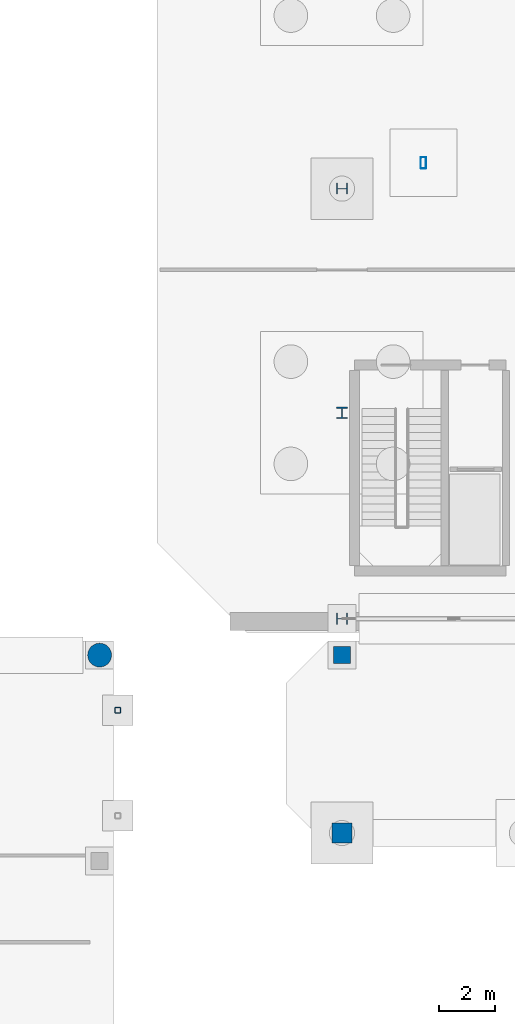
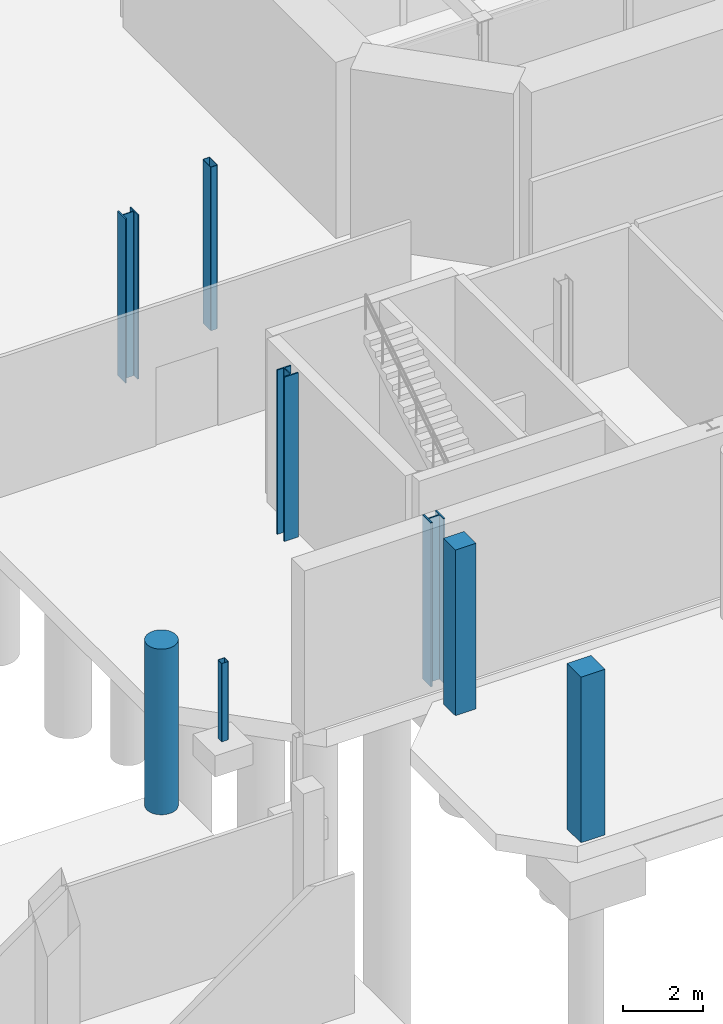
# One storey, part 7 of 33: 8 columns.
"""IFC4 building model written with IfcOpenShell, lengths in metres."""

import ifcopenshell
import ifcopenshell.guid

model = None  # the IFC model being written
_history = None  # IfcOwnerHistory: only IFC2X3 demands one
_inside = {}  # id of a spatial element -> (the spatial element, [elements in it])
_under = {}  # id of a project, library or spatial element -> (it, [spatial elements below it])
_declared = {}  # id of a project -> (the project, [libraries it declares])
_typed = {}  # id of a type object -> (the type object, [elements of that type])
_made_of = {}  # id of a material, layer set ... -> (it, [elements and type objects made of it])


def new_model(schema):
    """Start an empty IFC model of exactly this schema.

    Asked for "IFC4X3", IfcOpenShell would pick the latest addendum, in which some entities
    have other attributes; the version numbers below select the first issue.
    IFC2X3 requires an IfcOwnerHistory on every rooted entity: one is made here for all.
    """
    global model, _history
    if schema == "IFC4X3":
        model = ifcopenshell.file(schema_version=(4, 3, 0, 0))
    else:
        model = ifcopenshell.file(schema=schema)
    _inside.clear()
    _under.clear()
    _declared.clear()
    _typed.clear()
    _made_of.clear()
    _history = None
    if model.schema == "IFC2X3":
        org = make("IfcOrganization", Name="unknown")
        user = make(
            "IfcPersonAndOrganization",
            ThePerson=make("IfcPerson", FamilyName="unknown"),
            TheOrganization=org,
        )
        app = make(
            "IfcApplication",
            ApplicationDeveloper=org,
            Version="unknown",
            ApplicationFullName="unknown",
            ApplicationIdentifier="unknown",
        )
        _history = make(
            "IfcOwnerHistory",
            OwningUser=user,
            OwningApplication=app,
            ChangeAction="ADDED",
            CreationDate=0,
        )
    return model


def make(cls, **values):
    """One entity of the class cls with the attributes given. An attribute that is None is left unset."""
    return model.create_entity(
        cls, **{name: value for name, value in values.items() if value is not None}
    )


def rooted(cls, **values):
    """An entity with a GlobalId (a new one), such as an element, a storey or a relation."""
    return make(cls, GlobalId=ifcopenshell.guid.new(), OwnerHistory=_history, **values)


def si_unit(unit_type, name, prefix=None):
    """IfcSIUnit, for example si_unit("LENGTHUNIT", "METRE", prefix="MILLI")."""
    return make("IfcSIUnit", UnitType=unit_type, Prefix=prefix, Name=name)


def assignment(units):
    """IfcUnitAssignment: the units of a project."""
    return None if units is None else make("IfcUnitAssignment", Units=units)


def point(xyz):
    """IfcCartesianPoint."""
    return None if xyz is None else make("IfcCartesianPoint", Coordinates=xyz)


def direction(xyz):
    """IfcDirection."""
    return None if xyz is None else make("IfcDirection", DirectionRatios=xyz)


def frame(location, z_axis=None, x_axis=None):
    """IfcAxis2Placement3D, a coordinate frame: its origin and axes. An axis left out is left unset."""
    return make(
        "IfcAxis2Placement3D",
        Location=point(location),
        Axis=direction(z_axis),
        RefDirection=direction(x_axis),
    )


def frame_2d(location, x_axis=None):
    """IfcAxis2Placement2D, a coordinate frame in the plane: its origin and x axis."""
    return make(
        "IfcAxis2Placement2D", Location=point(location), RefDirection=direction(x_axis)
    )


def origin():
    """The frame at (0, 0, 0) with its axes left unset."""
    return frame((0.0, 0.0, 0.0))


def origin_2d():
    """The frame at (0, 0) in the plane with its x axis left unset."""
    return frame_2d((0.0, 0.0))


def place(relative_to, where):
    """IfcLocalPlacement: puts the frame where relative to a parent placement (None: the world)."""
    return make(
        "IfcLocalPlacement", PlacementRelTo=relative_to, RelativePlacement=where
    )


def context(
    kind, dimensions, precision=None, world=None, true_north=None, identifier=None
):
    """IfcGeometricRepresentationContext, for example the 3D "Model" context."""
    return make(
        "IfcGeometricRepresentationContext",
        ContextIdentifier=identifier,
        ContextType=kind,
        CoordinateSpaceDimension=dimensions,
        Precision=precision,
        WorldCoordinateSystem=world,
        TrueNorth=true_north,
    )


def subcontext(parent, identifier, kind, view, scale=None):
    """IfcGeometricRepresentationSubContext, for example "Body" below "Model"."""
    return make(
        "IfcGeometricRepresentationSubContext",
        ContextIdentifier=identifier,
        ContextType=kind,
        ParentContext=parent,
        TargetScale=scale,
        TargetView=view,
    )


def project(units=None, contexts=None):
    """IfcProject with its units and contexts."""
    return rooted(
        "IfcProject",
        Name="project",
        RepresentationContexts=contexts,
        UnitsInContext=assignment(units),
    )


def spatial(cls, under=None, at=None, **own):
    """A site, building, storey or space (cls), placed at a placement, below another one or the project."""
    s = rooted(cls, ObjectPlacement=at, **own)
    if under is not None:
        _under.setdefault(under.id(), (under, []))[1].append(s)
    return s


def profile(cls, at=None, kind="AREA", **sizes):
    """A parametric profile (cls). Its sizes go by their IFC names, for example OverallWidth=200.0."""
    return make(cls, ProfileType=kind, Position=at, **sizes)


def rectangle(**sizes):
    """IfcRectangleProfileDef."""
    return profile("IfcRectangleProfileDef", **sizes)


def hollow_rectangle(**sizes):
    """IfcRectangleHollowProfileDef."""
    return profile("IfcRectangleHollowProfileDef", **sizes)


def circle(**sizes):
    """IfcCircleProfileDef."""
    return profile("IfcCircleProfileDef", **sizes)


def i_section(**sizes):
    """IfcIShapeProfileDef."""
    return profile("IfcIShapeProfileDef", **sizes)


def extrude(swept, where, along, depth):
    """IfcExtrudedAreaSolid: the profile swept, set in the frame where, extruded along a direction by depth."""
    return make(
        "IfcExtrudedAreaSolid",
        SweptArea=swept,
        Position=where,
        ExtrudedDirection=direction(along),
        Depth=depth,
    )


def shape(context_of_items, identifier, shape_type, items):
    """IfcShapeRepresentation: the items that make up one representation, for example the "Body"."""
    return make(
        "IfcShapeRepresentation",
        ContextOfItems=context_of_items,
        RepresentationIdentifier=identifier,
        RepresentationType=shape_type,
        Items=items,
    )


def material(Name=None, Category=None):
    """IfcMaterial."""
    return make("IfcMaterial", Name=Name, Category=Category)


def material_profile(
    of_material, cross_section, Name=None, Category=None, Priority=None
):
    """IfcMaterialProfile: a cross section and its material."""
    return make(
        "IfcMaterialProfile",
        Name=Name,
        Material=of_material,
        Profile=cross_section,
        Priority=Priority,
        Category=Category,
    )


def profile_set(profiles, Name=None, composite=None):
    """IfcMaterialProfileSet."""
    return make(
        "IfcMaterialProfileSet",
        Name=Name,
        MaterialProfiles=profiles,
        CompositeProfile=composite,
    )


def made_of(thing, what):
    """Note that an element or type object is made of a material, layer set ...; save() writes the relation."""
    if what is not None:
        _made_of.setdefault(what.id(), (what, []))[1].append(thing)
    return thing


def type_object(cls, material=None, **own):
    """A type object (cls), such as IfcWallType, which elements share."""
    return made_of(rooted(cls, **own), material)


def element(
    cls,
    number,
    at=None,
    inside=None,
    cuts=None,
    type_object=None,
    material=None,
    context=None,
    identifier="Body",
    shape_type=None,
    held_by="IfcProductDefinitionShape",
    body=None,
    shapes=None,
    **own,
):
    """One element of the class cls, such as IfcWall. Its Tag is "e" and its number.

    at: its placement. inside: the storey or other place that contains it. cuts: it is an
    opening in that element (IfcRelVoidsElement). A single representation is given by context,
    identifier, shape_type and body (its items); several are given by shapes. held_by: the class
    of the entity that holds the representations. save() writes the other relations.
    """
    e = rooted(cls, Tag="e%d" % number, ObjectPlacement=at, **own)
    if body is not None:
        shapes = [shape(context, identifier, shape_type, body)]
    if shapes is not None:
        e.Representation = make(held_by, Representations=shapes)
    if inside is not None:
        _inside.setdefault(inside.id(), (inside, []))[1].append(e)
    if cuts is not None:
        rooted(
            "IfcRelVoidsElement", RelatingBuildingElement=cuts, RelatedOpeningElement=e
        )
    if type_object is not None:
        _typed.setdefault(type_object.id(), (type_object, []))[1].append(e)
    return made_of(e, material)


def aggregate(whole, parts):
    """IfcRelAggregates: a whole, such as a stair, and the parts it consists of."""
    return rooted("IfcRelAggregates", RelatingObject=whole, RelatedObjects=parts)


def save(model, path):
    """Write the relations noted so far, then the file.

    IfcRelAggregates (storeys below a building ...), IfcRelContainedInSpatialStructure (elements
    in a storey), IfcRelDefinesByType, IfcRelAssociatesMaterial and IfcRelDeclares: one each for
    every whole, place, type object, material and project.
    """
    for whole, parts in _under.values():
        aggregate(whole, parts)
    for where, things in _inside.values():
        rooted(
            "IfcRelContainedInSpatialStructure",
            RelatedElements=things,
            RelatingStructure=where,
        )
    for kind, things in _typed.values():
        rooted("IfcRelDefinesByType", RelatedObjects=things, RelatingType=kind)
    for what, things in _made_of.values():
        rooted("IfcRelAssociatesMaterial", RelatedObjects=things, RelatingMaterial=what)
    for by, libraries in _declared.values():
        rooted("IfcRelDeclares", RelatingContext=by, RelatedDefinitions=libraries)
    model.write(path)


model = new_model("IFC4")

# Units and contexts
model_context = context("Model", 3, precision=1e-05, world=origin(), true_north=direction((0.0, 1.0)))
body_context = subcontext(model_context, "Body", "Model", "MODEL_VIEW")
ifc_project = project(units=[si_unit("LENGTHUNIT", "METRE"), si_unit("AREAUNIT", "SQUARE_METRE"), si_unit("VOLUMEUNIT", "CUBIC_METRE"), si_unit("PLANEANGLEUNIT", "RADIAN"), si_unit("MASSUNIT", "GRAM", prefix="KILO")], contexts=[model_context])

# Site, building, storey
site_placement = place(None, origin())
site = spatial("IfcSite", under=ifc_project, at=site_placement, CompositionType="ELEMENT")
building_placement = place(site_placement, origin())
building = spatial("IfcBuilding", under=site, at=building_placement, Name="Brisemont Oceanarium", CompositionType="ELEMENT")
storey_placement = place(building_placement, frame((0.0, 0.0, -5.39990234375)))
storey = spatial("IfcBuildingStorey", under=building, at=storey_placement, Name="B01", CompositionType="ELEMENT", Elevation=-5.39990234375)

# Columns
ifc_material_1 = material(Name="Structural Steel ASTM A500 Gr.C", Category="steel")
ifc_material_profile_1 = material_profile(ifc_material_1, hollow_rectangle(XDim=0.202880859375, YDim=0.406005859375, WallThickness=0.01171875, InnerFilletRadius=0.01220703125, OuterFilletRadius=0.02392578125, at=origin_2d()), Name="HSS16X8X1/2")
ifc_profile_set_1 = profile_set([ifc_material_profile_1], Name="Structural Steel ASTM A500 Gr.C")
column_type_1 = type_object("IfcColumnType", Name="COL-HSS16X8", PredefinedType="COLUMN", material=ifc_profile_set_1)
column_1_placement = place(storey_placement, frame((66.908203125, 48.92041015625, 0.0), z_axis=(0.0, 0.0, 1.0), x_axis=(1.0, 0.0, 0.0)))
element("IfcColumn", 1, at=column_1_placement, inside=storey, type_object=column_type_1, Name="V1 dome drum pier B01.5", PredefinedType="COLUMN", context=body_context, shape_type="SweptSolid", body=[
    extrude(hollow_rectangle(XDim=0.202880859375, YDim=0.406005859375, WallThickness=0.01171875, InnerFilletRadius=0.01220703125, OuterFilletRadius=0.02392578125, at=origin_2d()), origin(), (0.0, 0.0, 1.0), 5.02001953125),
])
ifc_material_2 = material(Name="Structural Steel ASTM A500 Gr.C", Category="steel")
ifc_material_profile_2 = material_profile(ifc_material_2, hollow_rectangle(XDim=0.202880859375, YDim=0.202880859375, WallThickness=0.0087890625, InnerFilletRadius=0.009033203125, OuterFilletRadius=0.01806640625, at=origin_2d()), Name="HSS8X8X3/8")
ifc_profile_set_2 = profile_set([ifc_material_profile_2], Name="Structural Steel ASTM A500 Gr.C")
column_type_2 = type_object("IfcColumnType", Name="COL-HSS8X8", PredefinedType="COLUMN", material=ifc_profile_set_2)
column_2_placement = place(storey_placement, frame((56.0, 29.3798828125, 3.0), z_axis=(0.0, 0.0, 1.0), x_axis=(1.0, 0.0, 0.0)))
element("IfcColumn", 2, at=column_2_placement, inside=storey, type_object=column_type_2, Name="Seismic bridge pier B01", PredefinedType="COLUMN", context=body_context, shape_type="SweptSolid", body=[
    extrude(hollow_rectangle(XDim=0.202880859375, YDim=0.202880859375, WallThickness=0.0087890625, InnerFilletRadius=0.009033203125, OuterFilletRadius=0.01806640625, at=origin_2d()), origin(), (0.0, 0.0, 1.0), 2.39990234375),
])
ifc_material_3 = material(Name="Concrete C35/45", Category="concrete")
ifc_material_profile_3 = material_profile(ifc_material_3, rectangle(XDim=0.60009765625, YDim=0.60009765625, at=origin_2d()), Name="RC-COL-600X600")
ifc_profile_set_3 = profile_set([ifc_material_profile_3], Name="Concrete C35/45")
column_type_3 = type_object("IfcColumnType", Name="COL-RC600", PredefinedType="COLUMN", material=ifc_profile_set_3)
column_3_placement = place(storey_placement, frame((64.0, 31.35009765625, 0.0), z_axis=(0.0, 0.0, 1.0), x_axis=(0.0, 1.0, 0.0)))
element("IfcColumn", 3, at=column_3_placement, inside=storey, type_object=column_type_3, Name="V1P B01 column (0,1)", PredefinedType="COLUMN", context=body_context, shape_type="SweptSolid", body=[
    extrude(rectangle(XDim=0.60009765625, YDim=0.60009765625, at=origin_2d()), origin(), (0.0, 0.0, 1.0), 5.079833984375),
])
ifc_material_4 = material(Name="Concrete C35/45", Category="concrete")
ifc_material_profile_4 = material_profile(ifc_material_4, rectangle(XDim=0.699951171875, YDim=0.699951171875, at=origin_2d()), Name="RC-COL-700X700")
ifc_profile_set_4 = profile_set([ifc_material_profile_4], Name="Concrete C35/45")
column_type_4 = type_object("IfcColumnType", Name="COL-RC700", PredefinedType="COLUMN", material=ifc_profile_set_4)
column_4_placement = place(storey_placement, frame((64.0, 25.0, 0.0), z_axis=(0.0, 0.0, 1.0), x_axis=(1.0, 0.0, 0.0)))
element("IfcColumn", 4, at=column_4_placement, inside=storey, type_object=column_type_4, Name="V1P B01 column (0,0)", PredefinedType="COLUMN", context=body_context, shape_type="SweptSolid", body=[
    extrude(rectangle(XDim=0.699951171875, YDim=0.699951171875, at=origin_2d()), origin(), (0.0, 0.0, 1.0), 5.079833984375),
])
ifc_material_5 = material(Name="Concrete C40/50", Category="concrete")
ifc_material_profile_5 = material_profile(ifc_material_5, circle(Radius=0.425048828125, at=origin_2d()), Name="RC-COL-D850")
ifc_profile_set_5 = profile_set([ifc_material_profile_5], Name="Concrete C40/50")
column_type_5 = type_object("IfcColumnType", Name="COL-RCD850", PredefinedType="COLUMN", material=ifc_profile_set_5)
column_5_placement = place(storey_placement, frame((55.35009765625, 31.35009765625, 0.0), z_axis=(0.0, 0.0, 1.0), x_axis=(0.0, 1.0, 0.0)))
element("IfcColumn", 5, at=column_5_placement, inside=storey, type_object=column_type_5, Name="V2 B01 column (6,3)", PredefinedType="COLUMN", context=body_context, shape_type="SweptSolid", body=[
    extrude(circle(Radius=0.425048828125, at=origin_2d()), origin(), (0.0, 0.0, 1.0), 5.079833984375),
])
ifc_material_6 = material(Name="Structural Steel ASTM A992 Gr.50", Category="steel")
ifc_material_profile_6 = material_profile(ifc_material_6, i_section(OverallWidth=0.39990234375, OverallDepth=0.39306640625, WebThickness=0.022705078125, FlangeThickness=0.03662109375, FilletRadius=0.014892578125, at=origin_2d()), Name="W14X193")
ifc_profile_set_6 = profile_set([ifc_material_profile_6], Name="Structural Steel ASTM A992 Gr.50")
column_type_6 = type_object("IfcColumnType", Name="COL-W14X193", PredefinedType="COLUMN", material=ifc_profile_set_6)
column_6_placement = place(storey_placement, frame((64.0, 48.0, 0.0), z_axis=(0.0, 0.0, 1.0), x_axis=(0.0, 1.0, 0.0)))
element("IfcColumn", 6, at=column_6_placement, inside=storey, type_object=column_type_6, Name="V1 B01 column (1,2)", PredefinedType="COLUMN", context=body_context, shape_type="SweptSolid", body=[
    extrude(i_section(OverallWidth=0.39990234375, OverallDepth=0.39306640625, WebThickness=0.022705078125, FlangeThickness=0.03662109375, FilletRadius=0.014892578125, at=origin_2d()), origin(), (0.0, 0.0, 1.0), 5.039794921875),
])
ifc_material_7 = material(Name="Structural Steel ASTM A992 Gr.50", Category="steel")
ifc_material_profile_7 = material_profile(ifc_material_7, i_section(OverallWidth=0.40087890625, OverallDepth=0.39892578125, WebThickness=0.02490234375, FlangeThickness=0.03955078125, FilletRadius=0.014892578125, at=origin_2d()), Name="W14X211")
ifc_profile_set_7 = profile_set([ifc_material_profile_7], Name="Structural Steel ASTM A992 Gr.50")
column_type_7 = type_object("IfcColumnType", Name="COL-W14X211", PredefinedType="COLUMN", material=ifc_profile_set_7)
column_7_placement = place(storey_placement, frame((64.0, 40.0, 0.0), z_axis=(0.0, 0.0, 1.0), x_axis=(1.0, 0.0, 0.0)))
element("IfcColumn", 7, at=column_7_placement, inside=storey, type_object=column_type_7, Name="V1 B01 column (1,1)", PredefinedType="COLUMN", context=body_context, shape_type="SweptSolid", body=[
    extrude(i_section(OverallWidth=0.40087890625, OverallDepth=0.39892578125, WebThickness=0.02490234375, FlangeThickness=0.03955078125, FilletRadius=0.014892578125, at=origin_2d()), origin(), (0.0, 0.0, 1.0), 5.039794921875),
])
ifc_material_8 = material(Name="Structural Steel ASTM A992 Gr.50", Category="steel")
ifc_material_profile_8 = material_profile(ifc_material_8, i_section(OverallWidth=0.404052734375, OverallDepth=0.406982421875, WebThickness=0.027099609375, FlangeThickness=0.043701171875, FilletRadius=0.014892578125, at=origin_2d()), Name="W14X233")
ifc_profile_set_8 = profile_set([ifc_material_profile_8], Name="Structural Steel ASTM A992 Gr.50")
column_type_8 = type_object("IfcColumnType", Name="COL-W14X233", PredefinedType="COLUMN", material=ifc_profile_set_8)
column_8_placement = place(storey_placement, frame((64.0, 32.64990234375, 0.0), z_axis=(0.0, 0.0, 1.0), x_axis=(0.0, 1.0, 0.0)))
element("IfcColumn", 8, at=column_8_placement, inside=storey, type_object=column_type_8, Name="V1 B01 column (1,0)", PredefinedType="COLUMN", context=body_context, shape_type="SweptSolid", body=[
    extrude(i_section(OverallWidth=0.404052734375, OverallDepth=0.406982421875, WebThickness=0.027099609375, FlangeThickness=0.043701171875, FilletRadius=0.014892578125, at=origin_2d()), origin(), (0.0, 0.0, 1.0), 5.039794921875),
])

save(model, "model.ifc")
